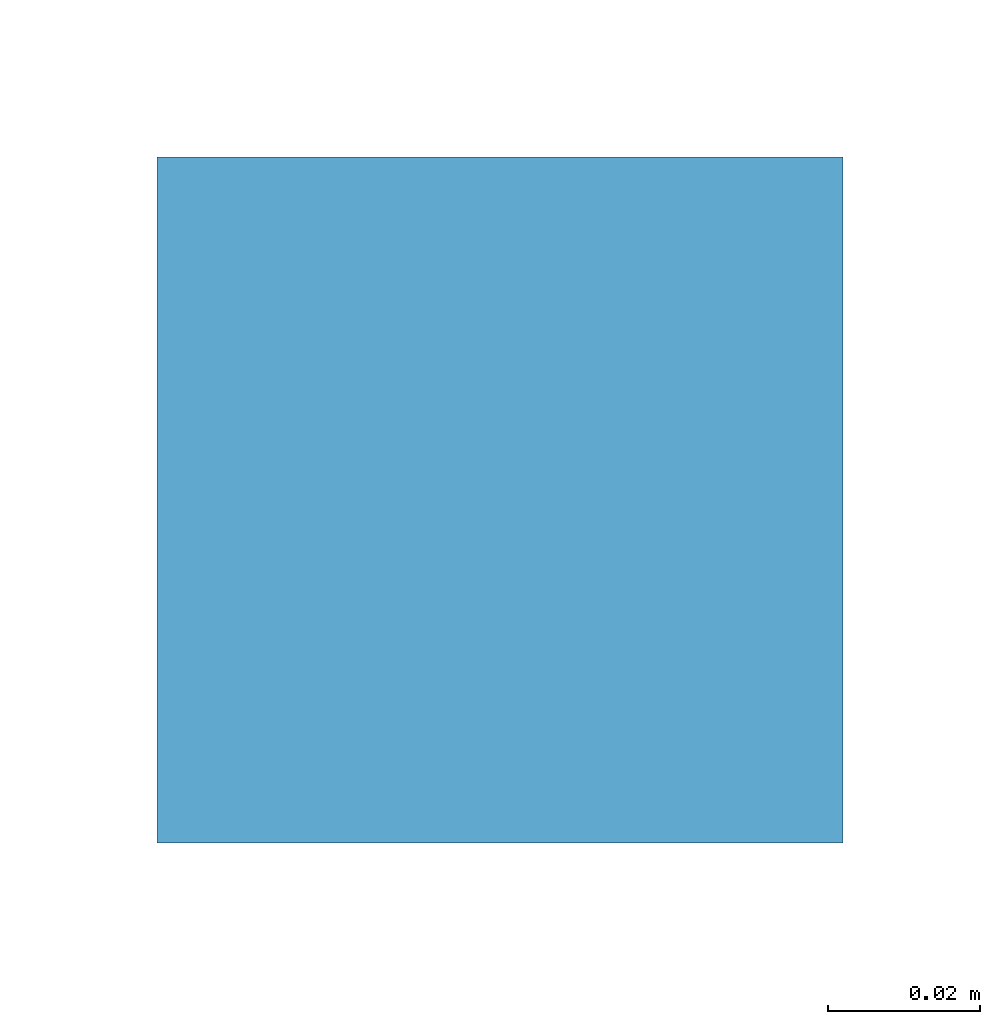
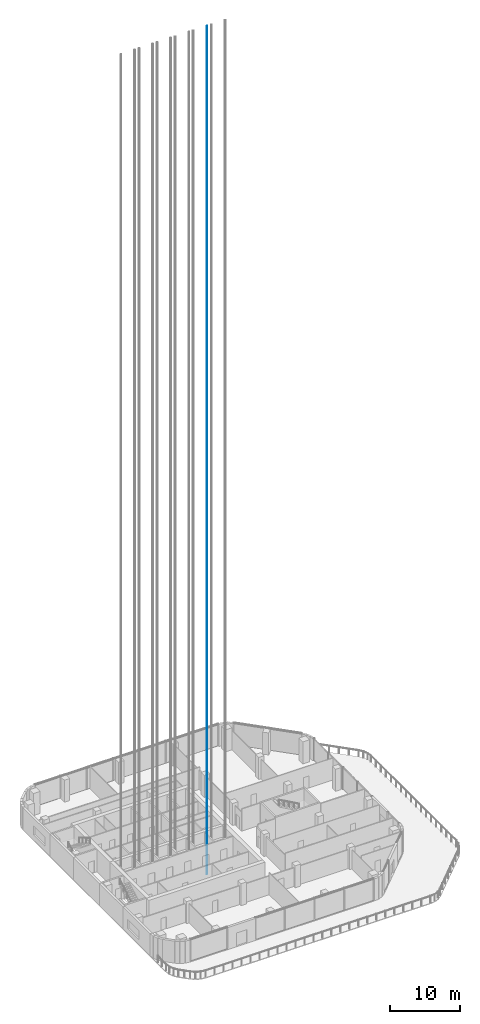
# One storey, part 15 of 29: 1 member.
"""IFC4 building model written with IfcOpenShell, lengths in metres."""

from ifc_helpers import new_model, si_unit, direction, frame, origin, origin_2d, place, context, subcontext, project, spatial, rectangle, extrude, material, material_profile, profile_set, type_object, element, save


model = new_model("IFC4")

# Units and contexts
model_context = context("Model", 3, precision=1e-05, world=origin(), true_north=direction((0.0, 1.0)))
body_context = subcontext(model_context, "Body", "Model", "MODEL_VIEW")
ifc_project = project(units=[si_unit("LENGTHUNIT", "METRE"), si_unit("AREAUNIT", "SQUARE_METRE"), si_unit("VOLUMEUNIT", "CUBIC_METRE"), si_unit("PLANEANGLEUNIT", "RADIAN"), si_unit("MASSUNIT", "GRAM", prefix="KILO")], contexts=[model_context])

# Site, building, storey
site_placement = place(None, origin())
site = spatial("IfcSite", under=ifc_project, at=site_placement, CompositionType="ELEMENT")
building_placement = place(site_placement, origin())
building = spatial("IfcBuilding", under=site, at=building_placement, Name="Cinnabar Reach Civic Tower", CompositionType="ELEMENT")
storey_placement = place(building_placement, frame((0.0, 0.0, 149.0)))
storey = spatial("IfcBuildingStorey", under=building, at=storey_placement, Name="L35", CompositionType="ELEMENT", Elevation=149.0)

# Member
ifc_material = material(Name="Steel Q355B", Category="steel")
ifc_material_profile = material_profile(ifc_material, rectangle(XDim=0.09, YDim=0.09, at=origin_2d()), Name="T1 lift guide rail")
ifc_profile_set = profile_set([ifc_material_profile], Name="Steel Q355B")
member_type = type_object("IfcMemberType", Name="T1 lift guide rail", PredefinedType="USERDEFINED", material=ifc_profile_set)
member_placement = place(storey_placement, frame((19.13, 30.0, -2.5), z_axis=(0.0, 0.0, 1.0), x_axis=(1.0, 0.0, 0.0)))
element("IfcMember", 1, at=member_placement, inside=storey, type_object=member_type, Name="T1-HR5 guide rail 2", ObjectType="GUIDE RAIL", PredefinedType="USERDEFINED", context=body_context, shape_type="SweptSolid", body=[
    extrude(rectangle(XDim=0.09, YDim=0.09, at=origin_2d()), origin(), (0.0, 0.0, 1.0), 148.5),
])

save(model, "model.ifc")
